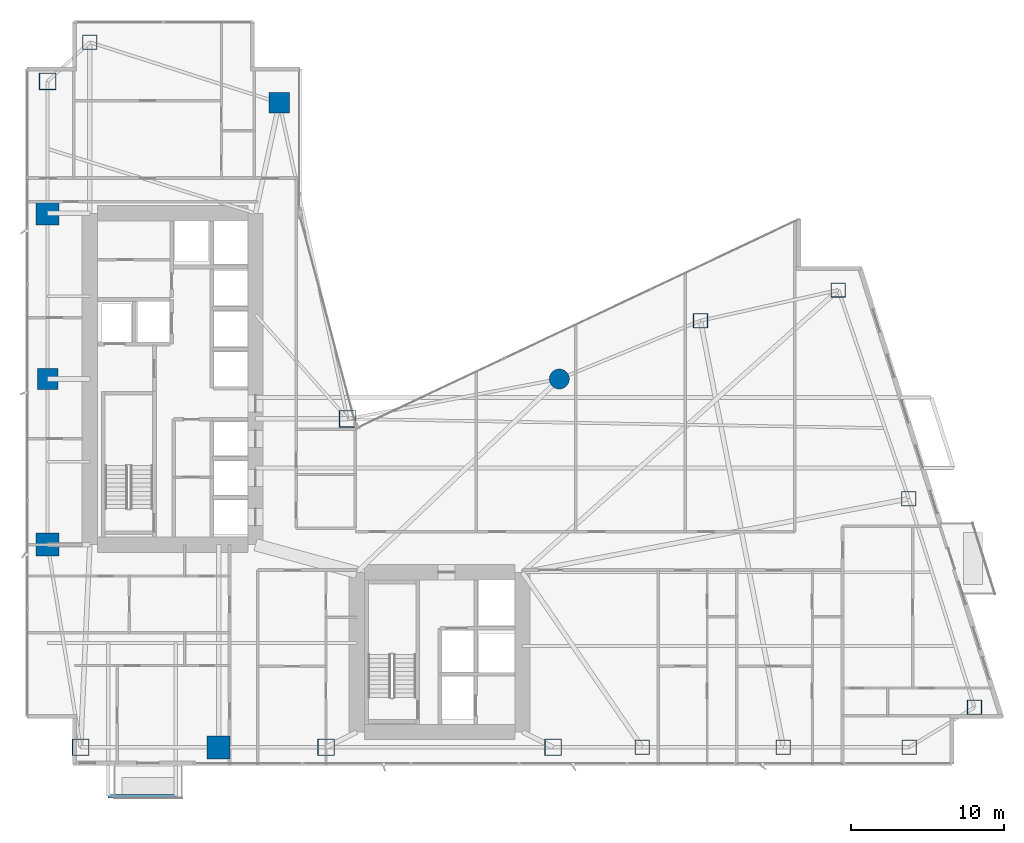
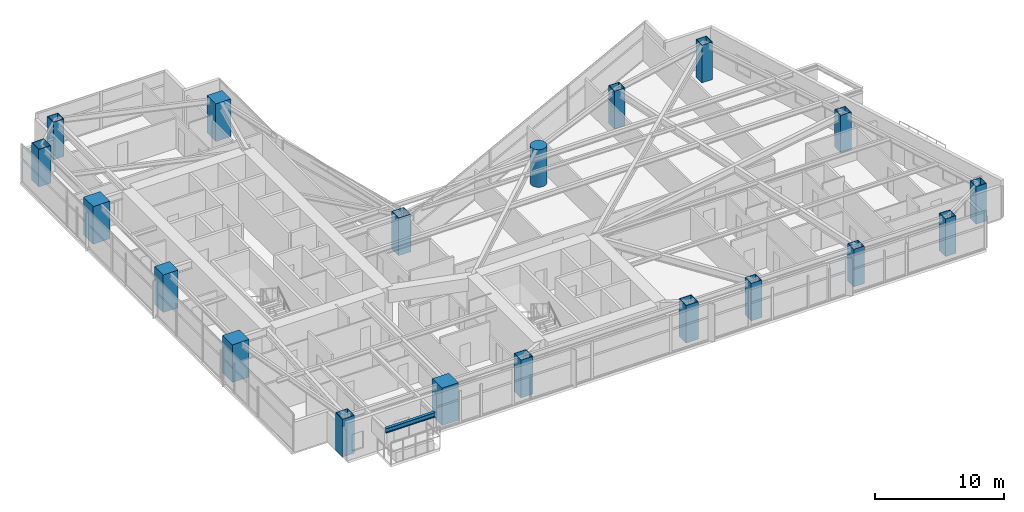
# One storey, part 1 of 29: 19 columns, 1 beam.
"""IFC4 building model written with IfcOpenShell, lengths in metres."""

from ifc_helpers import new_model, si_unit, direction, frame, origin, origin_2d, place, context, subcontext, project, spatial, rectangle, hollow_rectangle, circle, i_section, extrude, material, material_profile, profile_set, type_object, element, save


model = new_model("IFC4")

# Units and contexts
model_context = context("Model", 3, precision=1e-05, world=origin(), true_north=direction((0.0, 1.0)))
body_context = subcontext(model_context, "Body", "Model", "MODEL_VIEW")
ifc_project = project(units=[si_unit("LENGTHUNIT", "METRE"), si_unit("AREAUNIT", "SQUARE_METRE"), si_unit("VOLUMEUNIT", "CUBIC_METRE"), si_unit("PLANEANGLEUNIT", "RADIAN"), si_unit("MASSUNIT", "GRAM", prefix="KILO")], contexts=[model_context])

# Site, building, storey
site_placement = place(None, origin())
site = spatial("IfcSite", under=ifc_project, at=site_placement, CompositionType="ELEMENT")
building_placement = place(site_placement, origin())
building = spatial("IfcBuilding", under=site, at=building_placement, Name="Calvorn Quay Hotel", CompositionType="ELEMENT")
storey_placement = place(building_placement, frame((0.0, 0.0, 85.0)))
storey = spatial("IfcBuildingStorey", under=building, at=storey_placement, Name="L20", CompositionType="ELEMENT", Elevation=85.0)

# Columns
ifc_material_1 = material(Name="Concrete C60", Category="concrete")
ifc_material_profile_1 = material_profile(ifc_material_1, rectangle(XDim=1.35009765625, YDim=1.35009765625, at=origin_2d()), Name="RC1350x1350")
ifc_profile_set_1 = profile_set([ifc_material_profile_1], Name="Concrete C60")
column_type_1 = type_object("IfcColumnType", Name="COL-RC-1350", PredefinedType="COLUMN", material=ifc_profile_set_1)
for number, where, z_axis, x_axis, name in (
    (1, (1.449951171875, 27.60009765625, 0.0), (0.0, 0.0, 1.0), (1.0, 0.0, 0.0), "Column C-W3 (L20)"),
    (2, (16.550048828125, 45.60009765625, 0.0), (0.0, 0.0, 1.0), (1.0, 0.0, 0.0), "Column C-IC1 (L20)"),
):
    element("IfcColumn", number, at=place(storey_placement, frame(where, z_axis=z_axis, x_axis=x_axis)), inside=storey, type_object=column_type_1, Name=name, PredefinedType="COLUMN", context=body_context, shape_type="SweptSolid", body=[
        extrude(rectangle(XDim=1.35009765625, YDim=1.35009765625, at=origin_2d()), origin(), (0.0, 0.0, 1.0), 3.56005859375),
    ])
ifc_material_2 = material(Name="Concrete C60", Category="concrete")
ifc_material_profile_2 = material_profile(ifc_material_2, rectangle(XDim=1.5, YDim=1.5, at=origin_2d()), Name="RC1500x1500")
ifc_profile_set_2 = profile_set([ifc_material_profile_2], Name="Concrete C60")
column_type_2 = type_object("IfcColumnType", Name="COL-RC-1500", PredefinedType="COLUMN", material=ifc_profile_set_2)
for number, where, z_axis, x_axis, name in (
    (3, (1.449951171875, 16.800048828125, 0.0), (0.0, 0.0, 1.0), (1.0, 0.0, 0.0), "Column C-W2 (L20)"),
    (4, (1.449951171875, 38.39990234375, 0.0), (0.0, 0.0, 1.0), (1.0, 0.0, 0.0), "Column C-W4 (L20)"),
    (5, (12.60009765625, 3.60009765625, 0.0), (0.0, 0.0, 1.0), (1.0, 0.0, 0.0), "Column C-S1 (L20)"),
):
    element("IfcColumn", number, at=place(storey_placement, frame(where, z_axis=z_axis, x_axis=x_axis)), inside=storey, type_object=column_type_2, Name=name, PredefinedType="COLUMN", context=body_context, shape_type="SweptSolid", body=[
        extrude(rectangle(XDim=1.5, YDim=1.5, at=origin_2d()), origin(), (0.0, 0.0, 1.0), 3.56005859375),
    ])
ifc_material_3 = material(Name="Concrete C60", Category="concrete")
ifc_material_profile_3 = material_profile(ifc_material_3, circle(Radius=0.64990234375, at=origin_2d()), Name="RCD1300")
ifc_profile_set_3 = profile_set([ifc_material_profile_3], Name="Concrete C60")
column_type_3 = type_object("IfcColumnType", Name="COL-RC-D1300", PredefinedType="COLUMN", material=ifc_profile_set_3)
column_placement = place(storey_placement, frame((34.800048828125, 27.60009765625, 0.0), z_axis=(0.0, 0.0, 1.0), x_axis=(1.0, 0.0, 0.0)))
element("IfcColumn", 6, at=column_placement, inside=storey, type_object=column_type_3, Name="Column C-NC1 (L20)", PredefinedType="COLUMN", context=body_context, shape_type="SweptSolid", body=[
    extrude(circle(Radius=0.64990234375, at=origin_2d()), origin(), (0.0, 0.0, 1.0), 3.56005859375),
])
ifc_material_4 = material(Name="Steel Q420GJC", Category="steel")
ifc_material_profile_4 = material_profile(ifc_material_4, hollow_rectangle(XDim=1.10009765625, YDim=1.10009765625, WallThickness=0.044921875, at=origin_2d()), Name="BOX1100x1100x45")
ifc_profile_set_4 = profile_set([ifc_material_profile_4], Name="Steel Q420GJC")
column_type_4 = type_object("IfcColumnType", Name="COL-STL-MEGA1", PredefinedType="COLUMN", material=ifc_profile_set_4)
for number, where, z_axis, x_axis, name in (
    (7, (3.60009765625, 3.60009765625, 0.0), (0.0, 0.0, 1.0), (1.0, 0.0, 0.0), "Column C-W1 (L20)"),
    (8, (1.449951171875, 47.0, 0.0), (0.0, 0.0, 1.0), (1.0, 0.0, 0.0), "Column C-W5 (L20)"),
    (9, (21.0, 25.0, 0.0), (0.0, 0.0, 1.0), (1.0, 0.0, 0.0), "Column C-IC2 (L20)"),
    (10, (19.60009765625, 3.60009765625, 0.0), (0.0, 0.0, 1.0), (1.0, 0.0, 0.0), "Column C-S2 (L20)"),
    (11, (34.39990234375, 3.60009765625, 0.0), (0.0, 0.0, 1.0), (1.0, 0.0, 0.0), "Column C-S3 (L20)"),
):
    element("IfcColumn", number, at=place(storey_placement, frame(where, z_axis=z_axis, x_axis=x_axis)), inside=storey, type_object=column_type_4, Name=name, PredefinedType="COLUMN", context=body_context, shape_type="SweptSolid", body=[
        extrude(hollow_rectangle(XDim=1.10009765625, YDim=1.10009765625, WallThickness=0.044921875, at=origin_2d()), origin(), (0.0, 0.0, 1.0), 3.56005859375),
    ])
ifc_material_5 = material(Name="Steel Q420GJC", Category="steel")
ifc_material_profile_5 = material_profile(ifc_material_5, hollow_rectangle(XDim=0.949951171875, YDim=0.949951171875, WallThickness=0.0400390625, at=origin_2d()), Name="BOX950x950x40")
ifc_profile_set_5 = profile_set([ifc_material_profile_5], Name="Steel Q420GJC")
column_type_5 = type_object("IfcColumnType", Name="COL-STL-MEGA2", PredefinedType="COLUMN", material=ifc_profile_set_5)
for number, where, z_axis, x_axis, name in (
    (12, (4.199951171875, 49.550048828125, 0.0), (0.0, 0.0, 1.0), (1.0, 0.0, 0.0), "Column C-NW1 (L20)"),
    (13, (40.199951171875, 3.60009765625, 0.0), (0.0, 0.0, 1.0), (1.0, 0.0, 0.0), "Column C-S4 (L20)"),
    (14, (49.39990234375, 3.60009765625, 0.0), (0.0, 0.0, 1.0), (1.0, 0.0, 0.0), "Column C-S5 (L20)"),
    (15, (57.60009765625, 3.60009765625, 0.0), (0.0, 0.0, 1.0), (1.0, 0.0, 0.0), "Column C-S6 (L20)"),
    (16, (44.0, 31.39990234375, 0.0), (0.0, 0.0, 1.0), (1.0, 0.0, 0.0), "Column C-NC2 (L20)"),
    (17, (61.861083984375, 6.199951171875, 0.0), (0.0, 0.0, 1.0), (1.0, 0.0, 0.0), "Column C-ET1 (L20)"),
    (18, (57.575927734375, 19.800048828125, 0.0), (0.0, 0.0, 1.0), (1.0, 0.0, 0.0), "Column C-ET2 (L20)"),
    (19, (52.990966796875, 33.39990234375, 0.0), (0.0, 0.0, 1.0), (1.0, 0.0, 0.0), "Column C-ET3 (L20)"),
):
    element("IfcColumn", number, at=place(storey_placement, frame(where, z_axis=z_axis, x_axis=x_axis)), inside=storey, type_object=column_type_5, Name=name, PredefinedType="COLUMN", context=body_context, shape_type="SweptSolid", body=[
        extrude(hollow_rectangle(XDim=0.949951171875, YDim=0.949951171875, WallThickness=0.0400390625, at=origin_2d()), origin(), (0.0, 0.0, 1.0), 3.56005859375),
    ])

# Beam
ifc_material_6 = material(Name="Steel Q355B", Category="steel")
ifc_material_profile_6 = material_profile(ifc_material_6, i_section(OverallWidth=0.25, OverallDepth=0.449951171875, WebThickness=0.011962890625, FlangeThickness=0.01611328125, FilletRadius=0.01611328125, at=origin_2d()), Name="HN450x250x12x16")
ifc_profile_set_6 = profile_set([ifc_material_profile_6], Name="Steel Q355B")
beam_type = type_object("IfcBeamType", Name="BM-CANT-BALC", PredefinedType="BEAM", material=ifc_profile_set_6)
beam_placement = place(storey_placement, frame((5.39990234375, 0.409912109375, 3.31494140625), z_axis=(1.0, 0.0, 0.0), x_axis=(0.0, 1.0, 0.0)))
element("IfcBeam", 20, at=beam_placement, inside=storey, type_object=beam_type, Name="Beam BCBO-L21-2", PredefinedType="BEAM", context=body_context, shape_type="SweptSolid", body=[
    extrude(i_section(OverallWidth=0.25, OverallDepth=0.449951171875, WebThickness=0.011962890625, FlangeThickness=0.01611328125, FilletRadius=0.01611328125, at=origin_2d()), origin(), (0.0, 0.0, 1.0), 4.400146484375),
])

save(model, "model.ifc")
